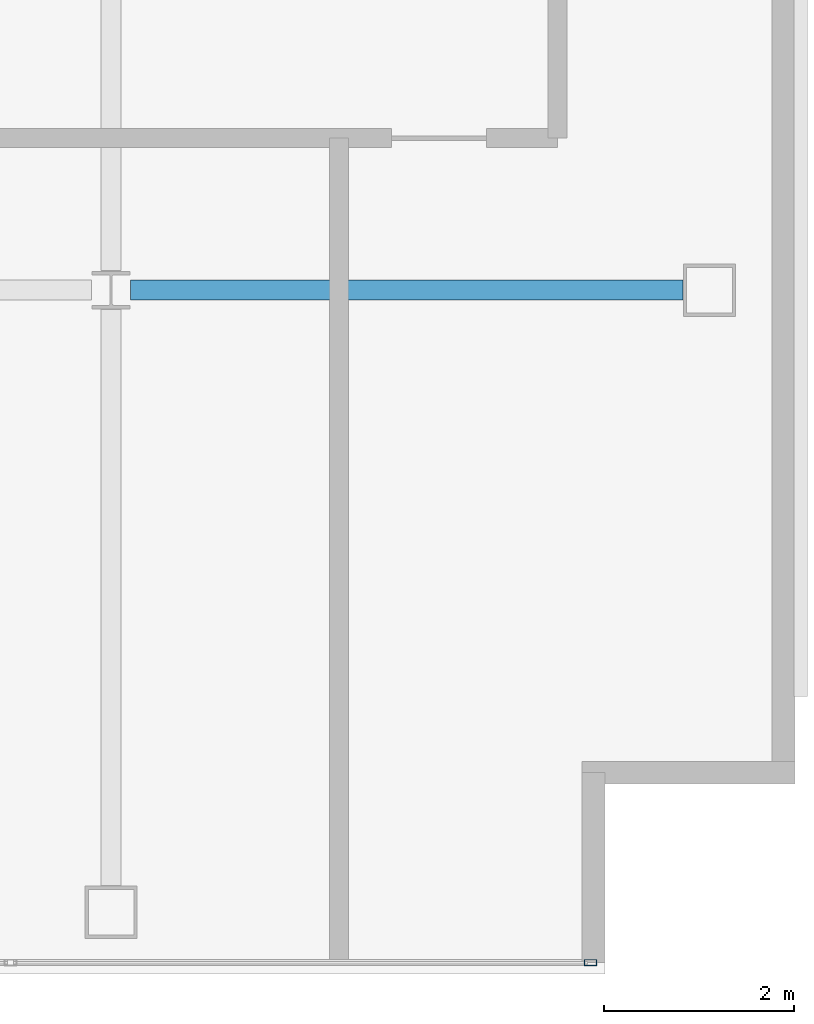
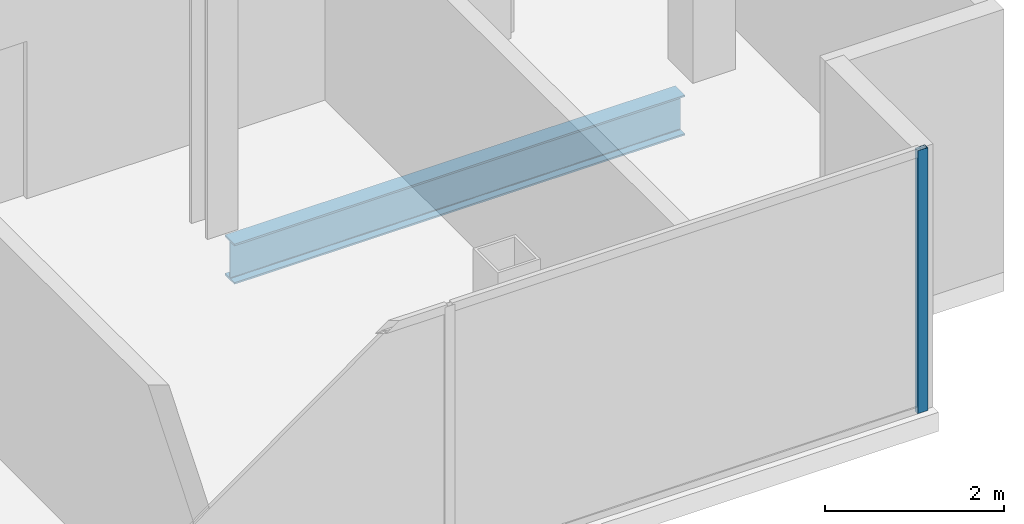
# One storey, part 6 of 15: 1 beam, 1 member, 1 element without a shape of its own.
"""IFC4 building model written with IfcOpenShell, lengths in metres."""

from ifc_helpers import new_model, si_unit, direction, frame, origin, origin_2d, place, context, subcontext, project, spatial, hollow_rectangle, i_section, extrude, material, material_profile, profile_set, type_object, element, aggregate, save


model = new_model("IFC4")

# Units and contexts
model_context = context("Model", 3, precision=1e-05, world=origin(), true_north=direction((0.0, 1.0)))
body_context = subcontext(model_context, "Body", "Model", "MODEL_VIEW")
ifc_project = project(units=[si_unit("LENGTHUNIT", "METRE"), si_unit("AREAUNIT", "SQUARE_METRE"), si_unit("VOLUMEUNIT", "CUBIC_METRE"), si_unit("PLANEANGLEUNIT", "RADIAN"), si_unit("MASSUNIT", "GRAM", prefix="KILO")], contexts=[model_context])

# Site, building, storey
site_placement = place(None, origin())
site = spatial("IfcSite", under=ifc_project, at=site_placement, CompositionType="ELEMENT")
building_placement = place(site_placement, origin())
building = spatial("IfcBuilding", under=site, at=building_placement, Name="Cobrela Telecom Tower", CompositionType="ELEMENT")
storey_placement = place(building_placement, frame((0.0, 0.0, 297.5)))
storey = spatial("IfcBuildingStorey", under=building, at=storey_placement, Name="L78", CompositionType="ELEMENT", Elevation=297.5)

# Beam
ifc_material_1 = material(Name="Steel ASTM A992 Grade 50", Category="steel")
ifc_material_profile_1 = material_profile(ifc_material_1, i_section(OverallWidth=0.212890625, OverallDepth=0.549072265625, WebThickness=0.0146484375, FlangeThickness=0.023681640625, FilletRadius=0.013916015625, at=origin_2d()), Name="W21X93")
ifc_profile_set_1 = profile_set([ifc_material_profile_1], Name="Steel ASTM A992 Grade 50")
beam_type = type_object("IfcBeamType", Name="BM-GIRD-08", PredefinedType="USERDEFINED", material=ifc_profile_set_1)
beam_placement = place(storey_placement, frame((21.804443359375, 14.39990234375, -0.534423828125), z_axis=(1.0, 0.0, 0.0), x_axis=(0.0, 1.0, 0.0)))
element("IfcBeam", 1, at=beam_placement, inside=storey, type_object=beam_type, Name="L78 Primary Girder X04", ObjectType="GIRDER", PredefinedType="USERDEFINED", context=body_context, shape_type="SweptSolid", body=[
    extrude(i_section(OverallWidth=0.212890625, OverallDepth=0.549072265625, WebThickness=0.0146484375, FlangeThickness=0.023681640625, FilletRadius=0.013916015625, at=origin_2d()), origin(), (0.0, 0.0, 1.0), 5.815673828125),
])

# Curtain wall, member
ifc_material_2 = material(Name="Anodized Bronze Aluminium 6063-T6", Category="aluminium")
curtain_wall_type = type_object("IfcCurtainWallType", Name="CW-SYS-DRUM", PredefinedType="USERDEFINED", material=ifc_material_2)
curtain_wall_placement = place(storey_placement, origin())
curtain_wall = element("IfcCurtainWall", 2, at=curtain_wall_placement, inside=storey, type_object=curtain_wall_type, Name="L78 Unitised Bronze Curtain Wall 11", ObjectType="UNITISED CURTAIN WALL", PredefinedType="USERDEFINED")
ifc_material_profile_2 = material_profile(ifc_material_2, hollow_rectangle(XDim=0.06494140625, YDim=0.1298828125, WallThickness=0.00390625, at=origin_2d()), Name="ALU 65x130x4")
ifc_profile_set_2 = profile_set([ifc_material_profile_2], Name="Anodized Bronze Aluminium 6063-T6")
member_type = type_object("IfcMemberType", Name="CW-SYS-DRUM-MUL", PredefinedType="MULLION", material=ifc_profile_set_2)
member_placement = place(storey_placement, frame((26.6474609375, 7.320068359375, 0.0), z_axis=(0.0, 0.0, 1.0), x_axis=(0.0, -1.0, 0.0)))
member = element("IfcMember", 3, at=member_placement, type_object=member_type, Name="CW-DRUM mullion 1", PredefinedType="MULLION", context=body_context, shape_type="SweptSolid", body=[
    extrude(hollow_rectangle(XDim=0.06494140625, YDim=0.1298828125, WallThickness=0.00390625, at=origin_2d()), origin(), (0.0, 0.0, 1.0), 3.590087890625),
])
aggregate(curtain_wall, [member])

save(model, "model.ifc")
